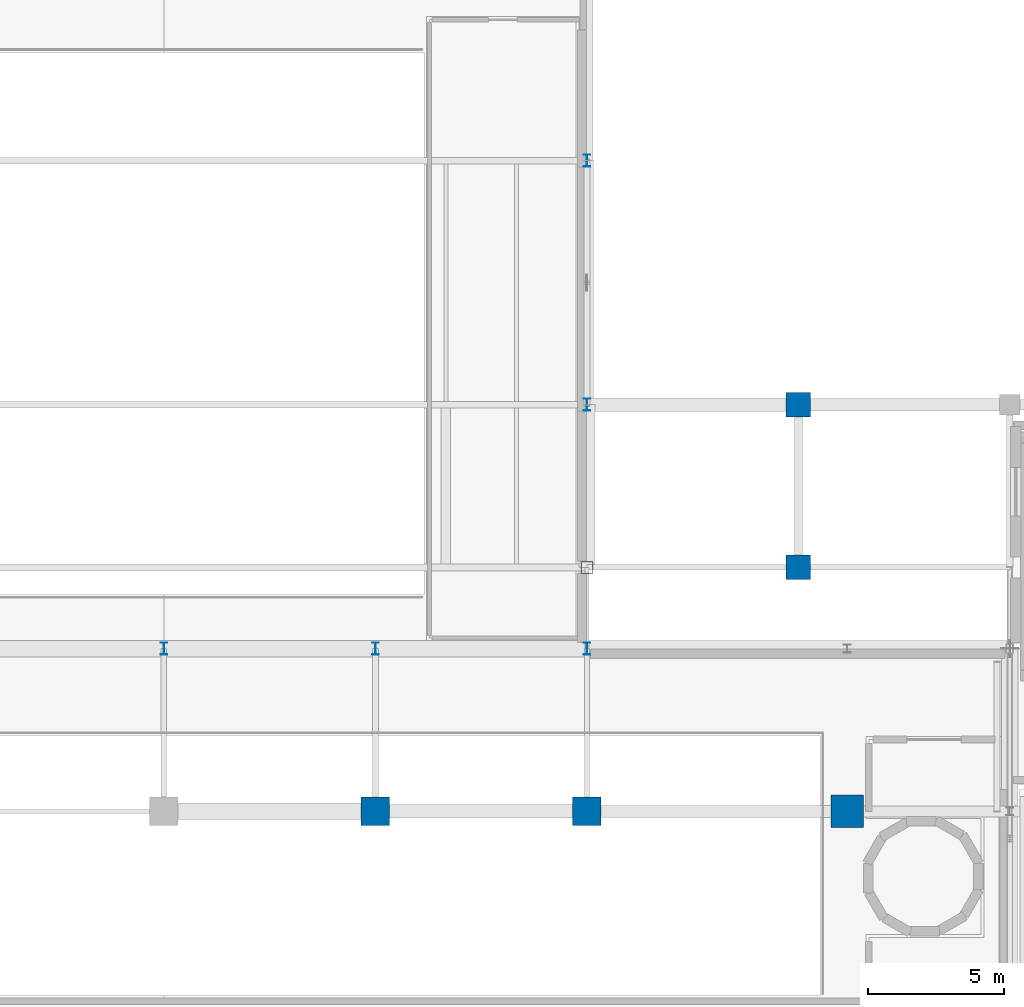
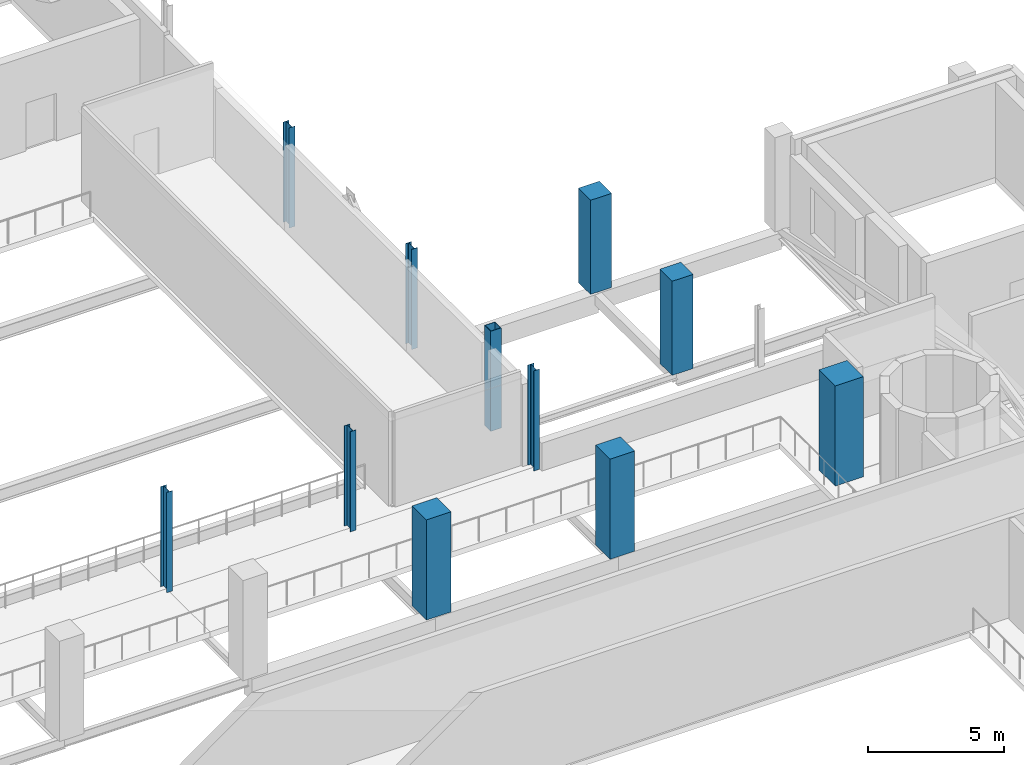
# One storey, part 5 of 85: 11 columns.
"""IFC4 building model written with IfcOpenShell, lengths in metres."""

from ifc_helpers import new_model, si_unit, derived_unit, direction, frame, origin, origin_2d, place, context, subcontext, project, spatial, rectangle, hollow_rectangle, i_section, extrude, material, material_profile, profile_set, type_object, element, save


model = new_model("IFC4")

# Units and contexts
model_context = context("Model", 3, precision=1e-05, world=origin(), true_north=direction((0.0, 1.0)))
body_context = subcontext(model_context, "Body", "Model", "MODEL_VIEW")
ifc_project = project(units=[si_unit("LENGTHUNIT", "METRE"), si_unit("AREAUNIT", "SQUARE_METRE"), si_unit("VOLUMEUNIT", "CUBIC_METRE"), si_unit("PLANEANGLEUNIT", "RADIAN"), si_unit("MASSUNIT", "GRAM", prefix="KILO"), derived_unit("THERMALTRANSMITTANCEUNIT", [(si_unit("POWERUNIT", "WATT"), 1), (si_unit("LENGTHUNIT", "METRE"), -2), (si_unit("THERMODYNAMICTEMPERATUREUNIT", "KELVIN"), -1)])], contexts=[model_context])

# Site, building, storey
site_placement = place(None, origin())
site = spatial("IfcSite", under=ifc_project, at=site_placement, CompositionType="ELEMENT")
building_placement = place(site_placement, origin())
building = spatial("IfcBuilding", under=site, at=building_placement, Name="Nallur Shell Playhouse", CompositionType="ELEMENT")
storey_placement = place(building_placement, frame((0.0, 0.0, 19.800048828125)))
storey = spatial("IfcBuildingStorey", under=building, at=storey_placement, Name="L05", CompositionType="ELEMENT", Elevation=19.800048828125)

# Columns
ifc_material_1 = material(Name="Concrete M45", Category="concrete")
ifc_material_profile_1 = material_profile(ifc_material_1, rectangle(XDim=1.050048828125, YDim=1.050048828125, at=origin_2d()), Name="RC 1050x1050")
ifc_profile_set_1 = profile_set([ifc_material_profile_1], Name="Concrete M45")
column_type_1 = type_object("IfcColumnType", Name="CL-RC-1050", PredefinedType="COLUMN", material=ifc_profile_set_1)
for number, where, z_axis, x_axis, name in (
    (1, (95.199951171875, 41.0, 0.0), (0.0, 0.0, 1.0), (1.0, 0.0, 0.0), "Column MC4N (L05)"),
    (2, (103.0, 41.0, 0.0), (0.0, 0.0, 1.0), (1.0, 0.0, 0.0), "Column MC5N (L05)"),
):
    element("IfcColumn", number, at=place(storey_placement, frame(where, z_axis=z_axis, x_axis=x_axis)), inside=storey, type_object=column_type_1, Name=name, PredefinedType="COLUMN", context=body_context, shape_type="SweptSolid", body=[
        extrude(rectangle(XDim=1.050048828125, YDim=1.050048828125, at=origin_2d()), origin(), (0.0, 0.0, 1.0), 4.5),
    ])
ifc_material_profile_2 = material_profile(ifc_material_1, rectangle(XDim=1.199951171875, YDim=1.199951171875, at=origin_2d()), Name="RC 1200x1200")
ifc_profile_set_2 = profile_set([ifc_material_profile_2], Name="Concrete M45")
column_type_2 = type_object("IfcColumnType", Name="CL-RC-1200", PredefinedType="COLUMN", material=ifc_profile_set_2)
column_1_placement = place(storey_placement, frame((112.60009765625, 41.0, 0.0), z_axis=(0.0, 0.0, 1.0), x_axis=(1.0, 0.0, 0.0)))
element("IfcColumn", 3, at=column_1_placement, inside=storey, type_object=column_type_2, Name="Column MC6N (L05)", PredefinedType="COLUMN", context=body_context, shape_type="SweptSolid", body=[
    extrude(rectangle(XDim=1.199951171875, YDim=1.199951171875, at=origin_2d()), origin(), (0.0, 0.0, 1.0), 4.5),
])
ifc_material_2 = material(Name="Concrete M40", Category="concrete")
ifc_material_profile_3 = material_profile(ifc_material_2, rectangle(XDim=0.89990234375, YDim=0.89990234375, at=origin_2d()), Name="RC 900x900")
ifc_profile_set_3 = profile_set([ifc_material_profile_3], Name="Concrete M40")
column_type_3 = type_object("IfcColumnType", Name="CL-RC-900", PredefinedType="COLUMN", material=ifc_profile_set_3)
for number, where, z_axis, x_axis, name in (
    (4, (110.800048828125, 50.0, 0.0), (0.0, 0.0, 1.0), (1.0, 0.0, 0.0), "Column 14-F (L05)"),
    (5, (110.800048828125, 56.0, 0.0), (0.0, 0.0, 1.0), (1.0, 0.0, 0.0), "Column 14-G (L05)"),
):
    element("IfcColumn", number, at=place(storey_placement, frame(where, z_axis=z_axis, x_axis=x_axis)), inside=storey, type_object=column_type_3, Name=name, PredefinedType="COLUMN", context=body_context, shape_type="SweptSolid", body=[
        extrude(rectangle(XDim=0.89990234375, YDim=0.89990234375, at=origin_2d()), origin(), (0.0, 0.0, 1.0), 4.22998046875),
    ])
ifc_material_3 = material(Name="Steel E350", Category="steel")
ifc_material_profile_4 = material_profile(ifc_material_3, hollow_rectangle(XDim=0.449951171875, YDim=0.449951171875, WallThickness=0.02001953125, at=origin_2d()), Name="BOX 450x450x20")
ifc_profile_set_4 = profile_set([ifc_material_profile_4], Name="Steel E350")
column_type_4 = type_object("IfcColumnType", Name="CL-ST-BOX450", PredefinedType="COLUMN", material=ifc_profile_set_4)
column_2_placement = place(storey_placement, frame((103.0, 50.0, 0.0), z_axis=(0.0, 0.0, 1.0), x_axis=(1.0, 0.0, 0.0)))
element("IfcColumn", 6, at=column_2_placement, inside=storey, type_object=column_type_4, Name="Column 13-F (L05)", PredefinedType="COLUMN", context=body_context, shape_type="SweptSolid", body=[
    extrude(hollow_rectangle(XDim=0.449951171875, YDim=0.449951171875, WallThickness=0.02001953125, at=origin_2d()), origin(), (0.0, 0.0, 1.0), 4.5),
])
ifc_material_profile_5 = material_profile(ifc_material_3, i_section(OverallWidth=0.25, OverallDepth=0.449951171875, WebThickness=0.01123046875, FlangeThickness=0.013671875, FilletRadius=0.014892578125, at=origin_2d()), Name="ISHB 450")
ifc_profile_set_5 = profile_set([ifc_material_profile_5], Name="Steel E350")
column_type_5 = type_object("IfcColumnType", Name="CL-ST-ISHB450", PredefinedType="COLUMN", material=ifc_profile_set_5)
for number, where, z_axis, x_axis, name in (
    (7, (103.0, 56.0, 0.0), (0.0, 0.0, 1.0), (1.0, 0.0, 0.0), "Column 13-G (L05)"),
    (8, (103.0, 65.0, 0.0), (0.0, 0.0, 1.0), (1.0, 0.0, 0.0), "Column 13-H (L05)"),
    (9, (87.39990234375, 47.0, 0.0), (0.0, 0.0, 1.0), (1.0, 0.0, 0.0), "Column PROSC-4 (L05)"),
    (10, (95.199951171875, 47.0, 0.0), (0.0, 0.0, 1.0), (1.0, 0.0, 0.0), "Column PROSC-5 (L05)"),
    (11, (103.0, 47.0, 0.0), (0.0, 0.0, 1.0), (1.0, 0.0, 0.0), "Column PROSC-6 (L05)"),
):
    element("IfcColumn", number, at=place(storey_placement, frame(where, z_axis=z_axis, x_axis=x_axis)), inside=storey, type_object=column_type_5, Name=name, PredefinedType="COLUMN", context=body_context, shape_type="SweptSolid", body=[
        extrude(i_section(OverallWidth=0.25, OverallDepth=0.449951171875, WebThickness=0.01123046875, FlangeThickness=0.013671875, FilletRadius=0.014892578125, at=origin_2d()), origin(), (0.0, 0.0, 1.0), 4.5),
    ])

save(model, "model.ifc")
